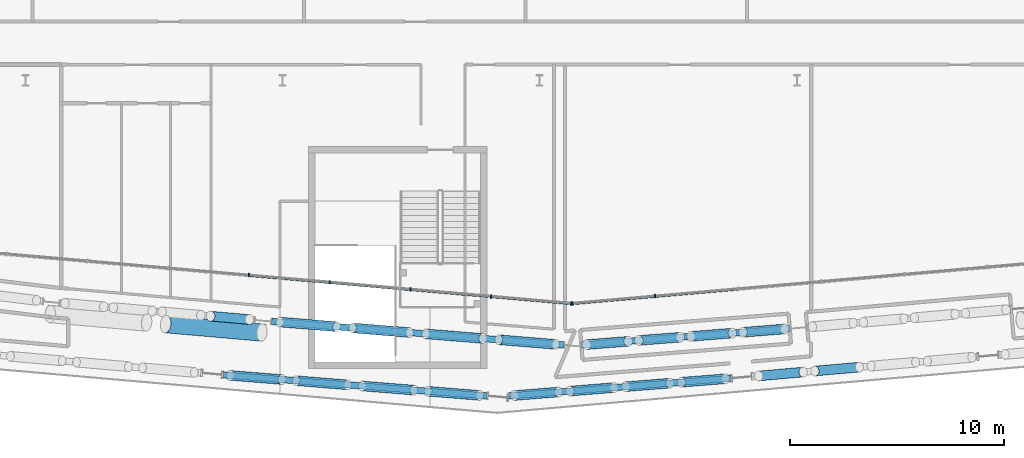
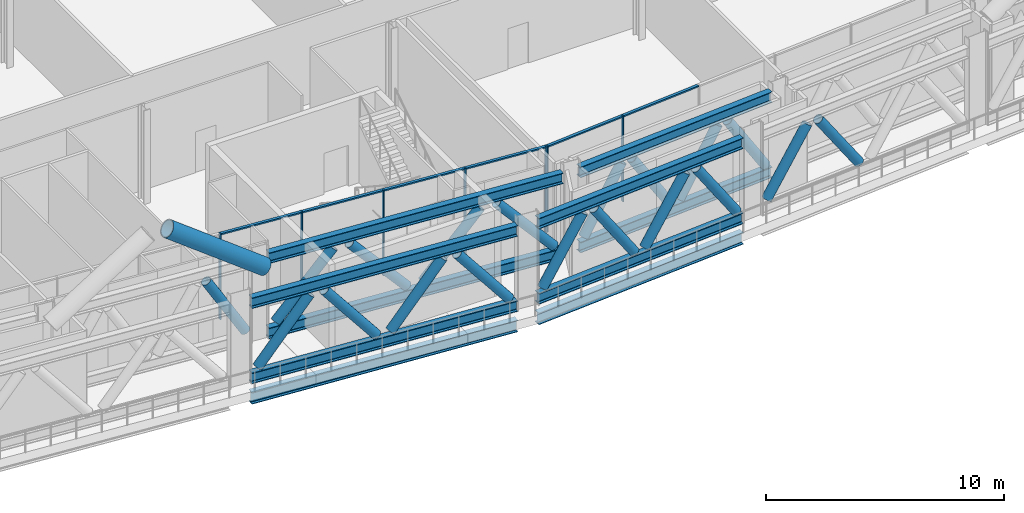
# One storey, part 7 of 39: 41 members, 2 beams, 2 elements without a shape of their own.
"""IFC4 building model written with IfcOpenShell, lengths in metres."""

from ifc_helpers import new_model, si_unit, direction, frame, origin, origin_2d, place, context, subcontext, project, spatial, rectangle, hollow_circle, i_section, extrude, material, material_profile, profile_set, type_object, element, aggregate, save


model = new_model("IFC4")

# Units and contexts
model_context = context("Model", 3, precision=1e-05, world=origin(), true_north=direction((0.0, 1.0)))
body_context = subcontext(model_context, "Body", "Model", "MODEL_VIEW")
ifc_project = project(units=[si_unit("LENGTHUNIT", "METRE"), si_unit("AREAUNIT", "SQUARE_METRE"), si_unit("VOLUMEUNIT", "CUBIC_METRE"), si_unit("PLANEANGLEUNIT", "RADIAN"), si_unit("MASSUNIT", "GRAM", prefix="KILO")], contexts=[model_context])

# Site, building, storey
site_placement = place(None, origin())
site = spatial("IfcSite", under=ifc_project, at=site_placement, CompositionType="ELEMENT")
building_placement = place(site_placement, origin())
building = spatial("IfcBuilding", under=site, at=building_placement, Name="Wharfspan Tower", CompositionType="ELEMENT")
storey_placement = place(building_placement, frame((0.0, 0.0, 91.899902)))
storey = spatial("IfcBuildingStorey", under=building, at=storey_placement, Name="L20", CompositionType="ELEMENT", Elevation=91.899902)

# Beams
ifc_material_1 = material(Name="Steel S355J2", Category="steel")
ifc_material_profile_1 = material_profile(ifc_material_1, i_section(OverallWidth=0.300049, OverallDepth=0.600098, WebThickness=0.015381, FlangeThickness=0.030029, FilletRadius=0.0271, at=origin_2d()))
ifc_profile_set_1 = profile_set([ifc_material_profile_1], Name="Steel S355J2")
beam_type = type_object("IfcBeamType", Name="Edge beam HEB 600", PredefinedType="SPANDREL", material=ifc_profile_set_1)
beam_1_placement = place(storey_placement, frame((33.222656, -2.240479, -0.75), z_axis=(0.996802, -0.079913, 0.0), x_axis=(0.079913, 0.996802, 0.0)))
element("IfcBeam", 1, at=beam_1_placement, inside=storey, type_object=beam_type, Name="Edge beam S1 L20 PS1.3 to PS1.4", PredefinedType="SPANDREL", context=body_context, shape_type="SweptSolid", body=[
    extrude(i_section(OverallWidth=0.300049, OverallDepth=0.600098, WebThickness=0.015381, FlangeThickness=0.030029, FilletRadius=0.0271, at=origin_2d()), origin(), (0.0, 0.0, 1.0), 12.36084),
])
beam_2_placement = place(storey_placement, frame((46.547852, -3.228027, -0.75), z_axis=(0.996848, 0.079335, 0.0), x_axis=(-0.079335, 0.996848, 0.0)))
element("IfcBeam", 2, at=beam_2_placement, inside=storey, type_object=beam_type, Name="Edge beam S2 L20 PS1.4 to PS2.1", PredefinedType="SPANDREL", context=body_context, shape_type="SweptSolid", body=[
    extrude(i_section(OverallWidth=0.300049, OverallDepth=0.600098, WebThickness=0.015381, FlangeThickness=0.030029, FilletRadius=0.0271, at=origin_2d()), origin(), (0.0, 0.0, 1.0), 10.429199),
])

# Curtain wall, members
ifc_material_2 = material(Name="Aluminium 6063-T6", Category="aluminium")
curtain_wall_type = type_object("IfcCurtainWallType", Name="CURTAIN WALL BAND RECESS", PredefinedType="NOTDEFINED", material=ifc_material_2)
curtain_wall_1_placement = place(storey_placement, origin())
curtain_wall_1 = element("IfcCurtainWall", 3, at=curtain_wall_1_placement, inside=storey, type_object=curtain_wall_type, Name="Recess glazing R5", PredefinedType="NOTDEFINED")
ifc_material_profile_2 = material_profile(ifc_material_2, rectangle(XDim=0.159912, YDim=0.060059, at=origin_2d()))
ifc_profile_set_2 = profile_set([ifc_material_profile_2], Name="Aluminium 6063-T6")
member_type_1 = type_object("IfcMemberType", Name="MULLION BAND RECESS 60x160", PredefinedType="MULLION", material=ifc_profile_set_2)
member_1_placement = place(storey_placement, frame((53.380859, 1.431152, 0.0), z_axis=(0.0, 0.0, 1.0), x_axis=(0.087156, -0.996198, 0.0)))
member_1 = element("IfcMember", 4, at=member_1_placement, type_object=member_type_1, Name="Recess glazing R5 mullion 10", PredefinedType="MULLION", context=body_context, shape_type="SweptSolid", body=[
    extrude(rectangle(XDim=0.159912, YDim=0.060059, at=origin_2d()), origin(), (0.0, 0.0, 1.0), 4.400146),
])
member_2_placement = place(storey_placement, frame((49.529785, 1.094238, 0.0), z_axis=(0.0, 0.0, 1.0), x_axis=(0.087156, -0.996198, 0.0)))
member_2 = element("IfcMember", 5, at=member_2_placement, type_object=member_type_1, Name="Recess glazing R5 mullion 11", PredefinedType="MULLION", context=body_context, shape_type="SweptSolid", body=[
    extrude(rectangle(XDim=0.159912, YDim=0.060059, at=origin_2d()), origin(), (0.0, 0.0, 1.0), 4.400146),
])

curtain_wall_2_placement = place(storey_placement, origin())
curtain_wall_2 = element("IfcCurtainWall", 6, at=curtain_wall_2_placement, inside=storey, type_object=curtain_wall_type, Name="Recess glazing R6", PredefinedType="NOTDEFINED")
member_3_placement = place(storey_placement, frame((49.470215, 1.094238, 0.0), z_axis=(0.0, 0.0, 1.0), x_axis=(-0.087156, -0.996198, 0.0)))
member_3 = element("IfcMember", 7, at=member_3_placement, type_object=member_type_1, Name="Recess glazing R6 mullion 1", PredefinedType="MULLION", context=body_context, shape_type="SweptSolid", body=[
    extrude(rectangle(XDim=0.159912, YDim=0.060059, at=origin_2d()), origin(), (0.0, 0.0, 1.0), 4.400146),
])
member_4_placement = place(storey_placement, frame((45.733398, 1.421143, 0.0), z_axis=(0.0, 0.0, 1.0), x_axis=(-0.087156, -0.996198, 0.0)))
member_4 = element("IfcMember", 8, at=member_4_placement, type_object=member_type_1, Name="Recess glazing R6 mullion 2", PredefinedType="MULLION", context=body_context, shape_type="SweptSolid", body=[
    extrude(rectangle(XDim=0.159912, YDim=0.060059, at=origin_2d()), origin(), (0.0, 0.0, 1.0), 4.400146),
])
member_5_placement = place(storey_placement, frame((41.966553, 1.750732, 0.0), z_axis=(0.0, 0.0, 1.0), x_axis=(-0.087156, -0.996198, 0.0)))
member_5 = element("IfcMember", 9, at=member_5_placement, type_object=member_type_1, Name="Recess glazing R6 mullion 3", PredefinedType="MULLION", context=body_context, shape_type="SweptSolid", body=[
    extrude(rectangle(XDim=0.159912, YDim=0.060059, at=origin_2d()), origin(), (0.0, 0.0, 1.0), 4.400146),
])
member_6_placement = place(storey_placement, frame((38.199951, 2.080322, 0.0), z_axis=(0.0, 0.0, 1.0), x_axis=(-0.087156, -0.996198, 0.0)))
member_6 = element("IfcMember", 10, at=member_6_placement, type_object=member_type_1, Name="Recess glazing R6 mullion 4", PredefinedType="MULLION", context=body_context, shape_type="SweptSolid", body=[
    extrude(rectangle(XDim=0.159912, YDim=0.060059, at=origin_2d()), origin(), (0.0, 0.0, 1.0), 4.400146),
])
member_7_placement = place(storey_placement, frame((34.43335, 2.409912, 0.0), z_axis=(0.0, 0.0, 1.0), x_axis=(-0.087156, -0.996198, 0.0)))
member_7 = element("IfcMember", 11, at=member_7_placement, type_object=member_type_1, Name="Recess glazing R6 mullion 5", PredefinedType="MULLION", context=body_context, shape_type="SweptSolid", body=[
    extrude(rectangle(XDim=0.159912, YDim=0.060059, at=origin_2d()), origin(), (0.0, 0.0, 1.0), 4.400146),
])

# Member
ifc_material_3 = material(Name="Steel S460NH", Category="steel")
ifc_material_profile_3 = material_profile(ifc_material_3, hollow_circle(Radius=0.406494, WallThickness=0.040039, at=origin_2d()))
ifc_profile_set_3 = profile_set([ifc_material_profile_3], Name="Steel S460NH")
member_type_2 = type_object("IfcMemberType", Name="Mega brace CHS 813x40", PredefinedType="BRACE", material=ifc_profile_set_3)
member_8_placement = place(storey_placement, frame((35.040771, -0.268311, 4.100098), z_axis=(-0.806015, 0.070528, 0.587679), x_axis=(-0.087171, -0.996191, -3e-06)))
element("IfcMember", 12, at=member_8_placement, inside=storey, type_object=member_type_2, Name="Mega brace S1 L21 part 3", PredefinedType="BRACE", context=body_context, shape_type="SweptSolid", body=[
    extrude(hollow_circle(Radius=0.406494, WallThickness=0.040039, at=origin_2d()), origin(), (0.0, 0.0, 1.0), 5.56958),
])

ifc_material_profile_4 = material_profile(ifc_material_2, rectangle(XDim=0.139893, YDim=0.070068, at=origin_2d()))
ifc_profile_set_4 = profile_set([ifc_material_profile_4], Name="Aluminium 6063-T6")
member_type_3 = type_object("IfcMemberType", Name="TRANSOM BAND RECESS 70x140", PredefinedType="USERDEFINED", material=ifc_profile_set_4)
member_9_placement = place(storey_placement, frame((57.231689, 1.768066, 4.36499), z_axis=(-0.996196, -0.087138, 0.0), x_axis=(0.087138, -0.996196, 0.0)))
member_9 = element("IfcMember", 13, at=member_9_placement, type_object=member_type_3, Name="Recess glazing R5 transom 9", ObjectType="TRANSOM", PredefinedType="USERDEFINED", context=body_context, shape_type="SweptSolid", body=[
    extrude(rectangle(XDim=0.139893, YDim=0.070068, at=origin_2d()), origin(), (0.0, 0.0, 1.0), 3.835693),
])

member_10_placement = place(storey_placement, frame((53.35083, 1.428467, 4.36499), z_axis=(-0.996198, -0.087122, 0.0), x_axis=(0.087122, -0.996198, 0.0)))
member_10 = element("IfcMember", 14, at=member_10_placement, type_object=member_type_3, Name="Recess glazing R5 transom 10", ObjectType="TRANSOM", PredefinedType="USERDEFINED", context=body_context, shape_type="SweptSolid", body=[
    extrude(rectangle(XDim=0.139893, YDim=0.070068, at=origin_2d()), origin(), (0.0, 0.0, 1.0), 3.80542),
])

aggregate(curtain_wall_1, [member_1, member_2, member_9, member_10])

member_11_placement = place(storey_placement, frame((49.440186, 1.096924, 4.36499), z_axis=(-0.996193, 0.087178, 0.0), x_axis=(-0.087178, -0.996193, 0.0)))
member_11 = element("IfcMember", 15, at=member_11_placement, type_object=member_type_3, Name="Recess glazing R6 transom 1", ObjectType="TRANSOM", PredefinedType="USERDEFINED", context=body_context, shape_type="SweptSolid", body=[
    extrude(rectangle(XDim=0.139893, YDim=0.070068, at=origin_2d()), origin(), (0.0, 0.0, 1.0), 3.691162),
])

member_12_placement = place(storey_placement, frame((45.703369, 1.423828, 4.36499), z_axis=(-0.996197, 0.087134, 0.0), x_axis=(-0.087134, -0.996197, 0.0)))
member_12 = element("IfcMember", 16, at=member_12_placement, type_object=member_type_3, Name="Recess glazing R6 transom 2", ObjectType="TRANSOM", PredefinedType="USERDEFINED", context=body_context, shape_type="SweptSolid", body=[
    extrude(rectangle(XDim=0.139893, YDim=0.070068, at=origin_2d()), origin(), (0.0, 0.0, 1.0), 3.720947),
])

member_13_placement = place(storey_placement, frame((41.936768, 1.753418, 4.36499), z_axis=(-0.996197, 0.087134, 0.0), x_axis=(-0.087134, -0.996197, 0.0)))
member_13 = element("IfcMember", 17, at=member_13_placement, type_object=member_type_3, Name="Recess glazing R6 transom 3", ObjectType="TRANSOM", PredefinedType="USERDEFINED", context=body_context, shape_type="SweptSolid", body=[
    extrude(rectangle(XDim=0.139893, YDim=0.070068, at=origin_2d()), origin(), (0.0, 0.0, 1.0), 3.720947),
])

member_14_placement = place(storey_placement, frame((38.170166, 2.083008, 4.36499), z_axis=(-0.996197, 0.087128, 0.0), x_axis=(-0.087128, -0.996197, 0.0)))
member_14 = element("IfcMember", 18, at=member_14_placement, type_object=member_type_3, Name="Recess glazing R6 transom 4", ObjectType="TRANSOM", PredefinedType="USERDEFINED", context=body_context, shape_type="SweptSolid", body=[
    extrude(rectangle(XDim=0.139893, YDim=0.070068, at=origin_2d()), origin(), (0.0, 0.0, 1.0), 3.721191),
])

aggregate(curtain_wall_2, [member_3, member_4, member_5, member_6, member_7, member_11, member_12, member_13, member_14])

# Members
ifc_material_profile_5 = material_profile(ifc_material_1, i_section(OverallWidth=0.300049, OverallDepth=0.550049, WebThickness=0.014893, FlangeThickness=0.029053, FilletRadius=0.0271, at=origin_2d()))
ifc_profile_set_5 = profile_set([ifc_material_profile_5], Name="Steel S355J2")
member_type_4 = type_object("IfcMemberType", Name="Truss chord HEB 550", PredefinedType="CHORD", material=ifc_profile_set_5)
for number, where, z_axis, x_axis, name in (
    (19, (35.494873, 0.251709, 4.125), (0.996756, -0.08048, 0.0), (0.08048, 0.996756, 0.0), "Belt truss chord T L20 S1 PS1.3 to PS1.4"),
    (20, (35.494873, 0.251709, 0.275146), (0.996756, -0.08048, 0.0), (0.08048, 0.996756, 0.0), "Belt truss chord B L20 S1 PS1.3 to PS1.4"),
):
    element("IfcMember", number, at=place(storey_placement, frame(where, z_axis=z_axis, x_axis=x_axis)), inside=storey, type_object=member_type_4, Name=name, PredefinedType="CHORD", context=body_context, shape_type="SweptSolid", body=[
        extrude(i_section(OverallWidth=0.300049, OverallDepth=0.550049, WebThickness=0.014893, FlangeThickness=0.029053, FilletRadius=0.0271, at=origin_2d()), origin(), (0.0, 0.0, 1.0), 13.675293),
    ])
for number, where, z_axis, x_axis, name in (
    (21, (49.942871, -0.849121, 4.125), (0.996912, 0.078525, 0.0), (-0.078525, 0.996912, 0.0), "Belt truss chord T L20 S2 PS1.4 to PS2.1"),
    (22, (49.942871, -0.849121, 0.275146), (0.996912, 0.078525, 0.0), (-0.078525, 0.996912, 0.0), "Belt truss chord B L20 S2 PS1.4 to PS2.1"),
):
    element("IfcMember", number, at=place(storey_placement, frame(where, z_axis=z_axis, x_axis=x_axis)), inside=storey, type_object=member_type_4, Name=name, PredefinedType="CHORD", context=body_context, shape_type="SweptSolid", body=[
        extrude(i_section(OverallWidth=0.300049, OverallDepth=0.550049, WebThickness=0.014893, FlangeThickness=0.029053, FilletRadius=0.0271, at=origin_2d()), origin(), (0.0, 0.0, 1.0), 9.759277),
    ])
for number, where, z_axis, x_axis, name in (
    (23, (33.226562, -2.240723, 4.125), (0.996803, -0.079905, 0.0), (0.079905, 0.996803, 0.0), "Belt truss chord T L20 S1 PS1.3.S to PS1.4.S"),
    (24, (33.226562, -2.240723, 0.275146), (0.996803, -0.079905, 0.0), (0.079905, 0.996803, 0.0), "Belt truss chord B L20 S1 PS1.3.S to PS1.4.S"),
):
    element("IfcMember", number, at=place(storey_placement, frame(where, z_axis=z_axis, x_axis=x_axis)), inside=storey, type_object=member_type_4, Name=name, PredefinedType="CHORD", context=body_context, shape_type="SweptSolid", body=[
        extrude(i_section(OverallWidth=0.300049, OverallDepth=0.550049, WebThickness=0.014893, FlangeThickness=0.029053, FilletRadius=0.0271, at=origin_2d()), origin(), (0.0, 0.0, 1.0), 12.353027),
    ])
for number, where, z_axis, x_axis, name in (
    (25, (46.552002, -3.227539, 4.125), (0.996849, 0.079328, 0.0), (-0.079328, 0.996849, 0.0), "Belt truss chord T L20 S2 PS1.4.S to PS2.1.S"),
    (26, (46.552002, -3.227539, 0.275146), (0.996849, 0.079328, 0.0), (-0.079328, 0.996849, 0.0), "Belt truss chord B L20 S2 PS1.4.S to PS2.1.S"),
):
    element("IfcMember", number, at=place(storey_placement, frame(where, z_axis=z_axis, x_axis=x_axis)), inside=storey, type_object=member_type_4, Name=name, PredefinedType="CHORD", context=body_context, shape_type="SweptSolid", body=[
        extrude(i_section(OverallWidth=0.300049, OverallDepth=0.550049, WebThickness=0.014893, FlangeThickness=0.029053, FilletRadius=0.0271, at=origin_2d()), origin(), (0.0, 0.0, 1.0), 10.420898),
    ])
ifc_material_profile_6 = material_profile(ifc_material_3, hollow_circle(Radius=0.228516, WallThickness=0.016113, at=origin_2d()))
ifc_profile_set_6 = profile_set([ifc_material_profile_6], Name="Steel S460NH")
member_type_5 = type_object("IfcMemberType", Name="Truss diagonal CHS 457x16", PredefinedType="BRACE", material=ifc_profile_set_6)
member_15_placement = place(storey_placement, frame((32.647949, 0.498291, 3.733887), z_axis=(0.506715, -0.044402, -0.86097), x_axis=(0.087291, 0.996183, -1e-06)))
element("IfcMember", 27, at=member_15_placement, inside=storey, type_object=member_type_5, Name="Belt truss diagonal L20 S1 PS1.2 to PS1.3 4", PredefinedType="BRACE", context=body_context, shape_type="SweptSolid", body=[
    extrude(hollow_circle(Radius=0.228516, WallThickness=0.016113, at=origin_2d()), origin(), (0.0, 0.0, 1.0), 3.562988),
])
for number, where, z_axis, x_axis, name in (
    (28, (35.872559, 0.221436, 0.701904), (0.661838, -0.053488, 0.747736), (0.080556, 0.996752, -1e-06), "Belt truss diagonal L20 S1 PS1.3 to PS1.4 1"),
    (29, (39.280273, -0.053711, 3.698486), (0.661838, -0.053488, -0.747736), (0.080556, 0.996752, 1e-06), "Belt truss diagonal L20 S1 PS1.3 to PS1.4 2"),
    (30, (42.687988, -0.329102, 0.701904), (0.66184, -0.053427, 0.747738), (0.080463, 0.996755, 0.0), "Belt truss diagonal L20 S1 PS1.3 to PS1.4 3"),
    (31, (46.095703, -0.604248, 3.698486), (0.66184, -0.053427, -0.747738), (0.080463, 0.996755, 0.0), "Belt truss diagonal L20 S1 PS1.3 to PS1.4 4"),
):
    element("IfcMember", number, at=place(storey_placement, frame(where, z_axis=z_axis, x_axis=x_axis)), inside=storey, type_object=member_type_5, Name=name, PredefinedType="BRACE", context=body_context, shape_type="SweptSolid", body=[
        extrude(hollow_circle(Radius=0.228516, WallThickness=0.016113, at=origin_2d()), origin(), (0.0, 0.0, 1.0), 4.007568),
    ])
for number, where, z_axis, x_axis, name in (
    (32, (50.193848, -0.829346, 0.672363), (0.533607, 0.042049, 0.844687), (-0.078555, 0.996913, -2e-06), "Belt truss diagonal L20 S2 PS1.4 to PS2.1 1"),
    (33, (52.626221, -0.637695, 3.727783), (0.533607, 0.042049, -0.844687), (-0.078555, 0.996913, 2e-06), "Belt truss diagonal L20 S2 PS1.4 to PS2.1 2"),
    (34, (55.058594, -0.446045, 0.672363), (0.533609, 0.041981, 0.844689), (-0.078431, 0.996915, 0.0), "Belt truss diagonal L20 S2 PS1.4 to PS2.1 3"),
):
    element("IfcMember", number, at=place(storey_placement, frame(where, z_axis=z_axis, x_axis=x_axis)), inside=storey, type_object=member_type_5, Name=name, PredefinedType="BRACE", context=body_context, shape_type="SweptSolid", body=[
        extrude(hollow_circle(Radius=0.228516, WallThickness=0.016113, at=origin_2d()), origin(), (0.0, 0.0, 1.0), 3.617188),
    ])
member_16_placement = place(storey_placement, frame((57.490723, -0.254639, 3.727783), z_axis=(0.533655, 0.042047, -0.844656), x_axis=(-0.07855, 0.996906, -2e-06)))
element("IfcMember", 35, at=member_16_placement, inside=storey, type_object=member_type_5, Name="Belt truss diagonal L20 S2 PS1.4 to PS2.1 4", PredefinedType="BRACE", context=body_context, shape_type="SweptSolid", body=[
    extrude(hollow_circle(Radius=0.228516, WallThickness=0.016113, at=origin_2d()), origin(), (0.0, 0.0, 1.0), 3.617432),
])
for number, where, z_axis, x_axis, name in (
    (36, (33.560791, -2.267578, 0.693115), (0.623722, -0.049981, 0.780047), (0.079879, 0.996809, -1e-06), "Belt truss diagonal L20 S1 PS1.3.S to PS1.4.S 1"),
    (37, (36.63916, -2.514404, 3.707031), (0.623722, -0.049981, -0.780047), (0.079879, 0.996809, 1e-06), "Belt truss diagonal L20 S1 PS1.3.S to PS1.4.S 2"),
    (38, (39.717529, -2.760986, 0.693115), (0.62372, -0.050044, 0.780044), (0.07998, 0.996794, -2e-06), "Belt truss diagonal L20 S1 PS1.3.S to PS1.4.S 3"),
    (39, (42.795898, -3.007812, 3.707031), (0.62372, -0.050044, -0.780044), (0.07998, 0.996794, 2e-06), "Belt truss diagonal L20 S1 PS1.3.S to PS1.4.S 4"),
):
    element("IfcMember", number, at=place(storey_placement, frame(where, z_axis=z_axis, x_axis=x_axis)), inside=storey, type_object=member_type_5, Name=name, PredefinedType="BRACE", context=body_context, shape_type="SweptSolid", body=[
        extrude(hollow_circle(Radius=0.228516, WallThickness=0.016113, at=origin_2d()), origin(), (0.0, 0.0, 1.0), 3.86377),
    ])
for number, where, z_axis, x_axis, name in (
    (40, (46.82373, -3.206055, 0.678223), (0.55868, 0.044508, 0.828188), (-0.079415, 0.996845, 0.0), "Belt truss diagonal L20 S2 PS1.4.S to PS2.1.S 1"),
    (41, (49.420898, -2.999268, 3.721924), (0.558682, 0.044442, -0.828191), (-0.079299, 0.996852, -1e-06), "Belt truss diagonal L20 S2 PS1.4.S to PS2.1.S 2"),
    (42, (52.017822, -2.79248, 0.678223), (0.558682, 0.044442, 0.828191), (-0.079299, 0.996852, 1e-06), "Belt truss diagonal L20 S2 PS1.4.S to PS2.1.S 3"),
    (43, (54.61499, -2.585938, 3.721924), (0.558682, 0.044442, -0.828191), (-0.079299, 0.996852, -1e-06), "Belt truss diagonal L20 S2 PS1.4.S to PS2.1.S 4"),
):
    element("IfcMember", number, at=place(storey_placement, frame(where, z_axis=z_axis, x_axis=x_axis)), inside=storey, type_object=member_type_5, Name=name, PredefinedType="BRACE", context=body_context, shape_type="SweptSolid", body=[
        extrude(hollow_circle(Radius=0.228516, WallThickness=0.016113, at=origin_2d()), origin(), (0.0, 0.0, 1.0), 3.675049),
    ])
for number, where, z_axis, x_axis, name in (
    (44, (58.219971, -2.292969, 0.679199), (0.562498, 0.049215, 0.825333), (-0.087159, 0.996192, -1e-06), "Belt truss diagonal L20 S2 PS2.1.S to PS2.2.S 1"),
    (45, (60.843994, -2.063232, 3.721191), (0.562498, 0.049215, -0.825333), (-0.087159, 0.996192, 1e-06), "Belt truss diagonal L20 S2 PS2.1.S to PS2.2.S 2"),
):
    element("IfcMember", number, at=place(storey_placement, frame(where, z_axis=z_axis, x_axis=x_axis)), inside=storey, type_object=member_type_5, Name=name, PredefinedType="BRACE", context=body_context, shape_type="SweptSolid", body=[
        extrude(hollow_circle(Radius=0.228516, WallThickness=0.016113, at=origin_2d()), origin(), (0.0, 0.0, 1.0), 3.685791),
    ])

save(model, "model.ifc")
